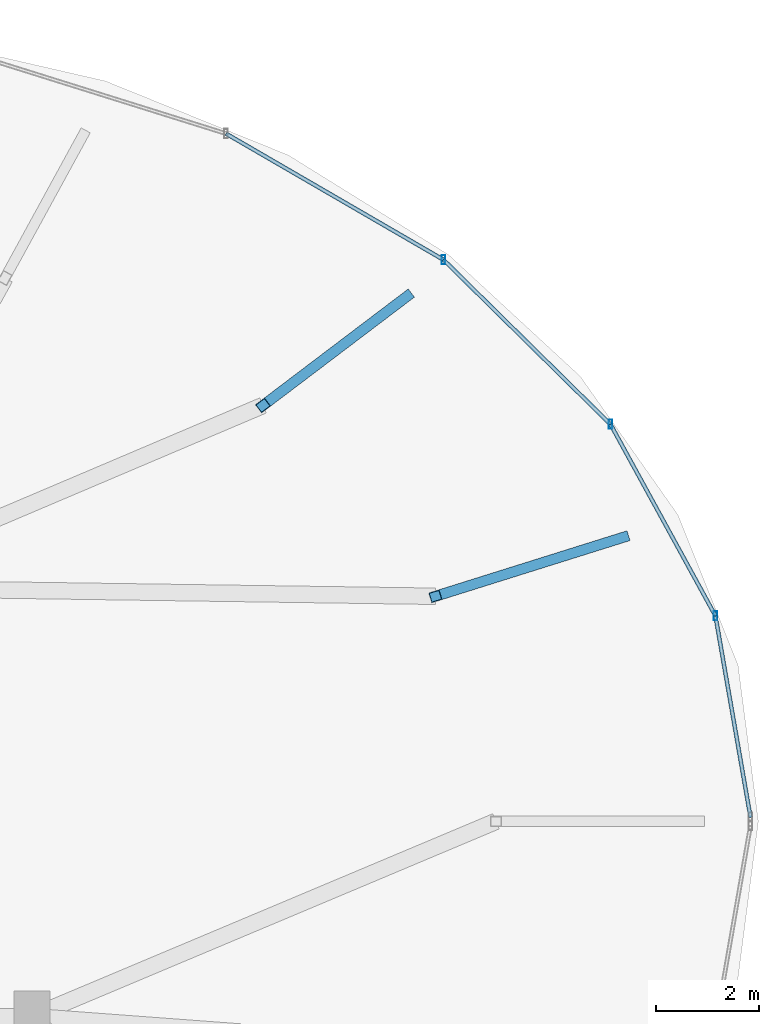
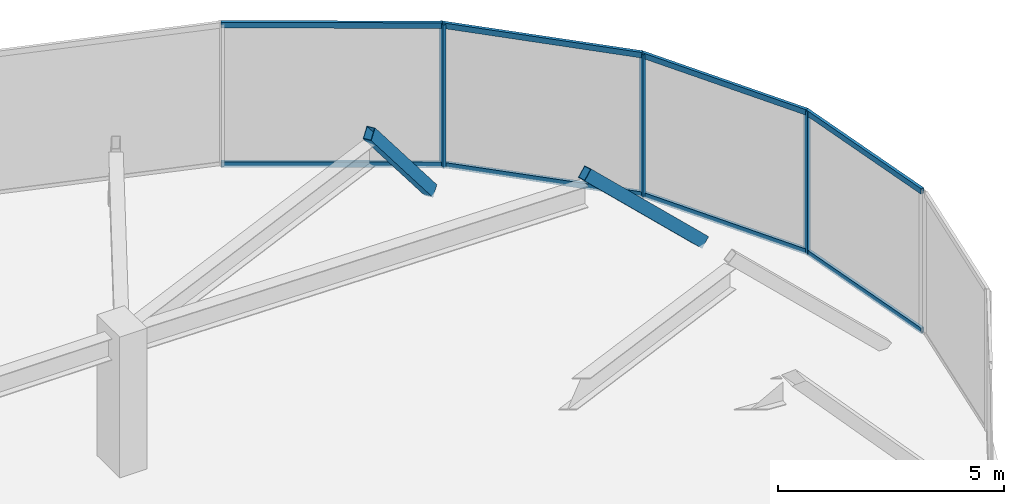
# One storey, part 13 of 14: 13 members, 1 element without a shape of its own.
"""IFC4 building model written with IfcOpenShell, lengths in metres."""

from ifc_helpers import new_model, si_unit, direction, frame, origin, origin_2d, place, context, subcontext, project, spatial, hollow_rectangle, extrude, material, material_profile, profile_set, type_object, element, aggregate, save


model = new_model("IFC4")

# Units and contexts
model_context = context("Model", 3, precision=1e-05, world=origin(), true_north=direction((0.0, 1.0)))
body_context = subcontext(model_context, "Body", "Model", "MODEL_VIEW")
ifc_project = project(units=[si_unit("LENGTHUNIT", "METRE"), si_unit("AREAUNIT", "SQUARE_METRE"), si_unit("VOLUMEUNIT", "CUBIC_METRE"), si_unit("PLANEANGLEUNIT", "RADIAN"), si_unit("MASSUNIT", "GRAM", prefix="KILO")], contexts=[model_context])

# Site, building, storey
site_placement = place(None, origin())
site = spatial("IfcSite", under=ifc_project, at=site_placement, CompositionType="ELEMENT")
building_placement = place(site_placement, origin())
building = spatial("IfcBuilding", under=site, at=building_placement, Name="Vorneva Point Tower", CompositionType="ELEMENT")
storey_placement = place(building_placement, frame((0.0, 0.0, 299.199951171875)))
storey = spatial("IfcBuildingStorey", under=building, at=storey_placement, Name="C02", CompositionType="ELEMENT", Elevation=299.199951171875)

# Curtain wall, members
ifc_material_1 = material(Name="Pale anodised aluminium", Category="aluminium")
curtain_wall_type = type_object("IfcCurtainWallType", Name="CW-CRN-SYS", PredefinedType="NOTDEFINED", material=ifc_material_1)
curtain_wall_placement = place(storey_placement, origin())
curtain_wall = element("IfcCurtainWall", 1, at=curtain_wall_placement, inside=storey, type_object=curtain_wall_type, Name="C02 Unitised Curtain Wall CW-C02-Q1", PredefinedType="NOTDEFINED")
ifc_material_profile_1 = material_profile(ifc_material_1, hollow_rectangle(XDim=0.074951171875, YDim=0.179931640625, WallThickness=0.00390625, at=origin_2d()), Name="AL-MUL 180x75x4")
ifc_profile_set_1 = profile_set([ifc_material_profile_1], Name="Pale anodised aluminium")
member_type_1 = type_object("IfcMemberType", Name="CW-MUL-180", PredefinedType="MULLION", material=ifc_profile_set_1)
member_1_placement = place(storey_placement, frame((57.755126953125, 30.001220703125, -0.0400390625), z_axis=(0.0, 0.0, 1.0), x_axis=(1.0, 0.0, 0.0)))
member_1 = element("IfcMember", 2, at=member_1_placement, type_object=member_type_1, Name="CW-C02-Q1 Mullion 02", PredefinedType="MULLION", context=body_context, shape_type="SweptSolid", body=[
    extrude(hollow_rectangle(XDim=0.074951171875, YDim=0.179931640625, WallThickness=0.00390625, at=origin_2d()), origin(), (0.0, 0.0, 1.0), 3.8701171875),
])
member_2_placement = place(storey_placement, frame((55.7119140625, 33.72998046875, -0.0400390625), z_axis=(0.0, 0.0, 1.0), x_axis=(1.0, 0.0, 0.0)))
member_2 = element("IfcMember", 3, at=member_2_placement, type_object=member_type_1, Name="CW-C02-Q1 Mullion 03", PredefinedType="MULLION", context=body_context, shape_type="SweptSolid", body=[
    extrude(hollow_rectangle(XDim=0.074951171875, YDim=0.179931640625, WallThickness=0.00390625, at=origin_2d()), origin(), (0.0, 0.0, 1.0), 3.8701171875),
])
member_3_placement = place(storey_placement, frame((52.461669921875, 36.931884765625, -0.0400390625), z_axis=(0.0, 0.0, 1.0), x_axis=(1.0, 0.0, 0.0)))
member_3 = element("IfcMember", 4, at=member_3_placement, type_object=member_type_1, Name="CW-C02-Q1 Mullion 04", PredefinedType="MULLION", context=body_context, shape_type="SweptSolid", body=[
    extrude(hollow_rectangle(XDim=0.074951171875, YDim=0.179931640625, WallThickness=0.00390625, at=origin_2d()), origin(), (0.0, 0.0, 1.0), 3.8701171875),
])
ifc_material_profile_2 = material_profile(ifc_material_1, hollow_rectangle(XDim=0.074951171875, YDim=0.14990234375, WallThickness=0.00390625, at=origin_2d()), Name="AL-TRN 150x75x4")
ifc_profile_set_2 = profile_set([ifc_material_profile_2], Name="Pale anodised aluminium")
member_type_2 = type_object("IfcMemberType", Name="CW-TRN-150", PredefinedType="USERDEFINED", material=ifc_profile_set_2)
member_4_placement = place(storey_placement, frame((58.438232421875, 26.078857421875, 0.02001953125), z_axis=(-0.17157407442, 0.985171222168, 0.0), x_axis=(-0.985171222168, -0.17157407442, 0.0)))
member_4 = element("IfcMember", 5, at=member_4_placement, type_object=member_type_2, Name="CW-C02-Q1 Transom 01.1", ObjectType="TRANSOM", PredefinedType="USERDEFINED", context=body_context, shape_type="SweptSolid", body=[
    extrude(hollow_rectangle(XDim=0.074951171875, YDim=0.14990234375, WallThickness=0.00390625, at=origin_2d()), origin(), (0.0, 0.0, 1.0), 3.9814453125),
])
member_5_placement = place(storey_placement, frame((58.438232421875, 26.078857421875, 3.780029296875), z_axis=(-0.17157407442, 0.985171222168, 0.0), x_axis=(-0.985171222168, -0.17157407442, 0.0)))
member_5 = element("IfcMember", 6, at=member_5_placement, type_object=member_type_2, Name="CW-C02-Q1 Transom 01.2", ObjectType="TRANSOM", PredefinedType="USERDEFINED", context=body_context, shape_type="SweptSolid", body=[
    extrude(hollow_rectangle(XDim=0.074951171875, YDim=0.14990234375, WallThickness=0.00390625, at=origin_2d()), origin(), (0.0, 0.0, 1.0), 3.9814453125),
])
member_6_placement = place(storey_placement, frame((57.755126953125, 30.001220703125, 0.02001953125), z_axis=(-0.480544935922, 0.876970104713, 0.0), x_axis=(-0.876970104713, -0.480544935922, 0.0)))
member_6 = element("IfcMember", 7, at=member_6_placement, type_object=member_type_2, Name="CW-C02-Q1 Transom 02.1", ObjectType="TRANSOM", PredefinedType="USERDEFINED", context=body_context, shape_type="SweptSolid", body=[
    extrude(hollow_rectangle(XDim=0.074951171875, YDim=0.14990234375, WallThickness=0.00390625, at=origin_2d()), origin(), (0.0, 0.0, 1.0), 4.251953125),
])
member_7_placement = place(storey_placement, frame((57.755126953125, 30.001220703125, 3.780029296875), z_axis=(-0.480544935922, 0.876970104713, 0.0), x_axis=(-0.876970104713, -0.480544935922, 0.0)))
member_7 = element("IfcMember", 8, at=member_7_placement, type_object=member_type_2, Name="CW-C02-Q1 Transom 02.2", ObjectType="TRANSOM", PredefinedType="USERDEFINED", context=body_context, shape_type="SweptSolid", body=[
    extrude(hollow_rectangle(XDim=0.074951171875, YDim=0.14990234375, WallThickness=0.00390625, at=origin_2d()), origin(), (0.0, 0.0, 1.0), 4.251953125),
])
member_8_placement = place(storey_placement, frame((55.7119140625, 33.72998046875, 0.02001953125), z_axis=(-0.712384470192, 0.701789403332, 0.0), x_axis=(-0.701789403332, -0.712384470192, 0.0)))
member_8 = element("IfcMember", 9, at=member_8_placement, type_object=member_type_2, Name="CW-C02-Q1 Transom 03.1", ObjectType="TRANSOM", PredefinedType="USERDEFINED", context=body_context, shape_type="SweptSolid", body=[
    extrude(hollow_rectangle(XDim=0.074951171875, YDim=0.14990234375, WallThickness=0.00390625, at=origin_2d()), origin(), (0.0, 0.0, 1.0), 4.5625),
])
member_9_placement = place(storey_placement, frame((55.7119140625, 33.72998046875, 3.780029296875), z_axis=(-0.712384470192, 0.701789403332, 0.0), x_axis=(-0.701789403332, -0.712384470192, 0.0)))
member_9 = element("IfcMember", 10, at=member_9_placement, type_object=member_type_2, Name="CW-C02-Q1 Transom 03.2", ObjectType="TRANSOM", PredefinedType="USERDEFINED", context=body_context, shape_type="SweptSolid", body=[
    extrude(hollow_rectangle(XDim=0.074951171875, YDim=0.14990234375, WallThickness=0.00390625, at=origin_2d()), origin(), (0.0, 0.0, 1.0), 4.5625),
])
member_10_placement = place(storey_placement, frame((52.461669921875, 36.931884765625, 0.02001953125), z_axis=(-0.864996998067, 0.50177703548, 0.0), x_axis=(-0.50177703548, -0.864996998067, 0.0)))
member_10 = element("IfcMember", 11, at=member_10_placement, type_object=member_type_2, Name="CW-C02-Q1 Transom 04.1", ObjectType="TRANSOM", PredefinedType="USERDEFINED", context=body_context, shape_type="SweptSolid", body=[
    extrude(hollow_rectangle(XDim=0.074951171875, YDim=0.14990234375, WallThickness=0.00390625, at=origin_2d()), origin(), (0.0, 0.0, 1.0), 4.896728515625),
])
member_11_placement = place(storey_placement, frame((52.461669921875, 36.931884765625, 3.780029296875), z_axis=(-0.864996998067, 0.50177703548, 0.0), x_axis=(-0.50177703548, -0.864996998067, 0.0)))
member_11 = element("IfcMember", 12, at=member_11_placement, type_object=member_type_2, Name="CW-C02-Q1 Transom 04.2", ObjectType="TRANSOM", PredefinedType="USERDEFINED", context=body_context, shape_type="SweptSolid", body=[
    extrude(hollow_rectangle(XDim=0.074951171875, YDim=0.14990234375, WallThickness=0.00390625, at=origin_2d()), origin(), (0.0, 0.0, 1.0), 4.896728515625),
])
aggregate(curtain_wall, [member_1, member_2, member_3, member_4, member_5, member_6, member_7, member_8, member_9, member_10, member_11])

# Members
ifc_material_2 = material(Name="Steel S355", Category="steel")
ifc_material_profile_3 = material_profile(ifc_material_2, hollow_rectangle(XDim=0.199951171875, YDim=0.300048828125, WallThickness=0.011962890625, at=origin_2d()), Name="PP 300x200x12")
ifc_profile_set_3 = profile_set([ifc_material_profile_3], Name="Steel S355")
member_type_3 = type_object("IfcMemberType", Name="MBR-CRN-PP300", PredefinedType="CHORD", material=ifc_profile_set_3)
member_12_placement = place(storey_placement, frame((55.962158203125, 31.52978515625, 0.0), z_axis=(-0.677712777002, -0.21268405113, 0.703896928736), x_axis=(0.299427585254, -0.954119028837, 0.0)))
element("IfcMember", 13, at=member_12_placement, inside=storey, type_object=member_type_3, Name="Crown Tapered Frame Rib C02-02", PredefinedType="CHORD", context=body_context, shape_type="SweptSolid", body=[
    extrude(hollow_rectangle(XDim=0.199951171875, YDim=0.300048828125, WallThickness=0.011962890625, at=origin_2d()), origin(), (0.0, 0.0, 1.0), 5.398681640625),
])
member_13_placement = place(storey_placement, frame((51.74755859375, 36.2177734375, 0.0), z_axis=(-0.541071287919, -0.409919646066, 0.73430766383), x_axis=(0.603873744737, -0.797079983702, 0.0)))
element("IfcMember", 14, at=member_13_placement, inside=storey, type_object=member_type_3, Name="Crown Tapered Frame Rib C02-03", PredefinedType="CHORD", context=body_context, shape_type="SweptSolid", body=[
    extrude(hollow_rectangle(XDim=0.199951171875, YDim=0.300048828125, WallThickness=0.011962890625, at=origin_2d()), origin(), (0.0, 0.0, 1.0), 5.175048828125),
])

save(model, "model.ifc")
